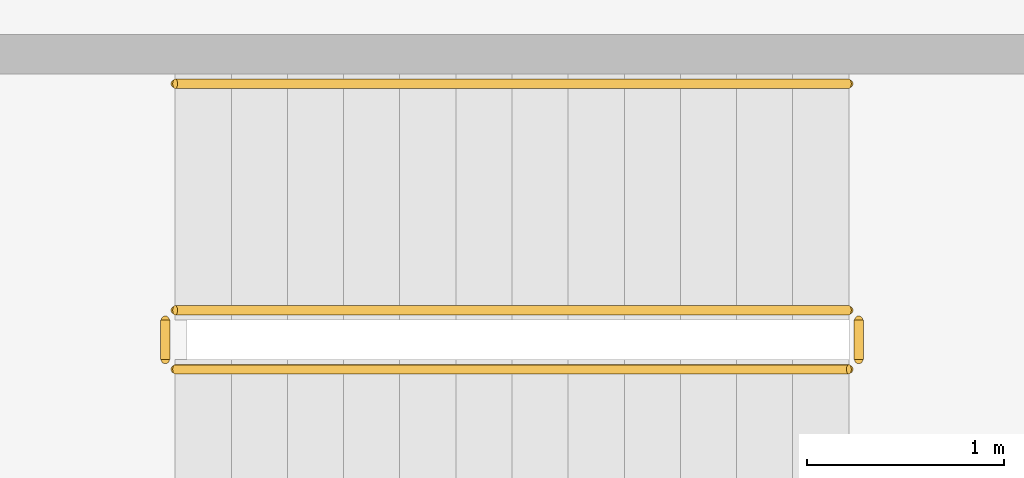
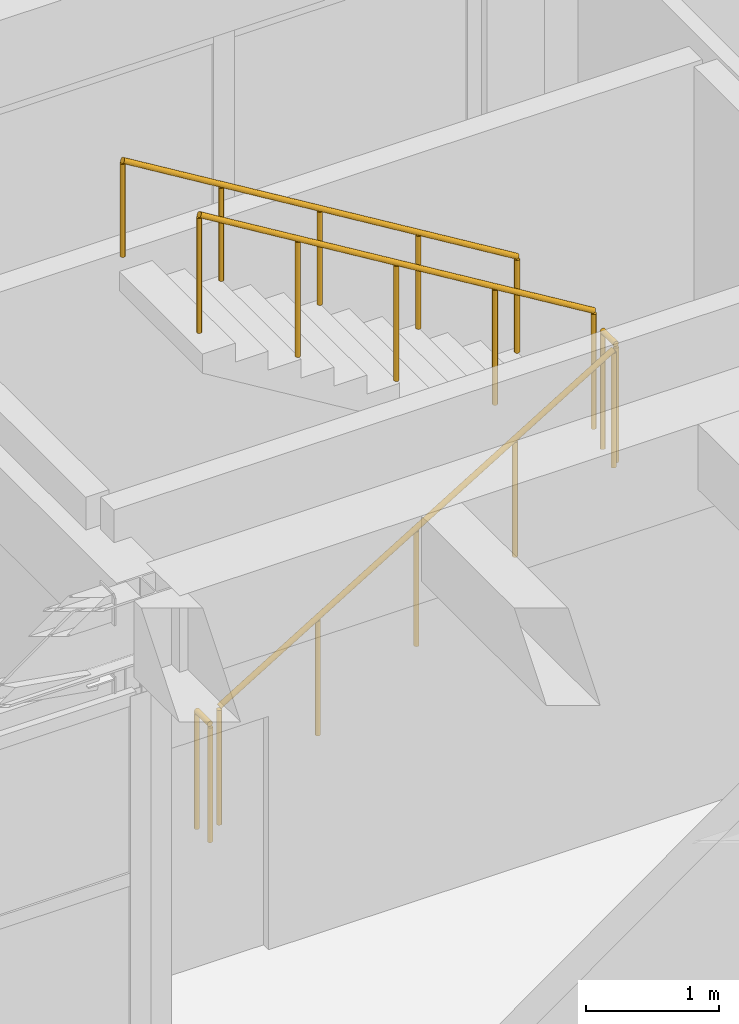
# One storey, part 148 of 153: 5 railings.
"""IFC4 building model written with IfcOpenShell, lengths in metres."""

from ifc_helpers import new_model, si_unit, direction, frame, origin, origin_2d, place, context, subcontext, project, spatial, circle, extrude, material, type_object, element, save


model = new_model("IFC4")

# Units and contexts
model_context = context("Model", 3, precision=1e-05, world=origin(), true_north=direction((0.0, 1.0)))
body_context = subcontext(model_context, "Body", "Model", "MODEL_VIEW")
ifc_project = project(units=[si_unit("LENGTHUNIT", "METRE"), si_unit("AREAUNIT", "SQUARE_METRE"), si_unit("VOLUMEUNIT", "CUBIC_METRE"), si_unit("PLANEANGLEUNIT", "RADIAN"), si_unit("MASSUNIT", "GRAM", prefix="KILO")], contexts=[model_context])

# Site, building, storey
site_placement = place(None, origin())
site = spatial("IfcSite", under=ifc_project, at=site_placement, CompositionType="ELEMENT")
building_placement = place(site_placement, origin())
building = spatial("IfcBuilding", under=site, at=building_placement, Name="Bramvelor Terrace Health Centre", CompositionType="ELEMENT")
storey_placement = place(building_placement, frame((0.0, 0.0, 4.800048828125)))
storey = spatial("IfcBuildingStorey", under=building, at=storey_placement, Name="L02", CompositionType="ELEMENT", Elevation=4.800048828125)

# Railings
ifc_material_1 = material(Name="Painted galvanized steel", Category="steel")
railing_type_1 = type_object("IfcRailingType", Name="RLG-GD-1100", PredefinedType="GUARDRAIL", material=ifc_material_1)
railing_1_placement = place(storey_placement, frame((102.570068359375, 59.60009765625, 0.173095703125)))
element("IfcRailing", 1, at=railing_1_placement, inside=storey, type_object=railing_type_1, Name="L02 ST-5 stair guard 1", PredefinedType="GUARDRAIL", context=body_context, shape_type="SweptSolid", body=[
    extrude(circle(Radius=0.02392578125, at=origin_2d()), frame((0.0, 0.0, 1.076171875), z_axis=(0.854729506542, 0.0, 0.519073665916), x_axis=(0.0, 1.0, 0.0)), (0.0, 0.0, 1.0), 4.001220703125),
    extrude(circle(Radius=0.02099609375, at=origin_2d()), origin(), (0.0, 0.0, 1.0), 1.052001953125),
    extrude(circle(Radius=0.02099609375, at=origin_2d()), frame((0.85498046875, 0.0, 0.519287109375)), (0.0, 0.0, 1.0), 1.052001953125),
    extrude(circle(Radius=0.02099609375, at=origin_2d()), frame((1.7099609375, 0.0, 1.03857421875)), (0.0, 0.0, 1.0), 1.052001953125),
    extrude(circle(Radius=0.02099609375, at=origin_2d()), frame((2.56494140625, 0.0, 1.5576171875)), (0.0, 0.0, 1.0), 1.052001953125),
    extrude(circle(Radius=0.02099609375, at=origin_2d()), frame((3.419921875, 0.0, 2.076904296875)), (0.0, 0.0, 1.0), 1.052001953125),
])
railing_2_placement = place(storey_placement, frame((106.0400390625, 59.64990234375, 2.25)))
element("IfcRailing", 2, at=railing_2_placement, inside=storey, type_object=railing_type_1, Name="L02 ST-5 stair guard 2", PredefinedType="GUARDRAIL", context=body_context, shape_type="SweptSolid", body=[
    extrude(circle(Radius=0.02392578125, at=origin_2d()), frame((0.0, 0.0, 1.076171875), z_axis=(0.0, 1.0, 0.0), x_axis=(-1.0, 0.0, 0.0)), (0.0, 0.0, 1.0), 0.2001953125),
    extrude(circle(Radius=0.02099609375, at=origin_2d()), origin(), (0.0, 0.0, 1.0), 1.052001953125),
    extrude(circle(Radius=0.02099609375, at=origin_2d()), frame((0.0, 0.2001953125, 0.0)), (0.0, 0.0, 1.0), 1.052001953125),
])
railing_3_placement = place(storey_placement, frame((105.989990234375, 59.89990234375, 2.423095703125)))
element("IfcRailing", 3, at=railing_3_placement, inside=storey, type_object=railing_type_1, Name="L02 ST-5 stair guard 3", PredefinedType="GUARDRAIL", context=body_context, shape_type="SweptSolid", body=[
    extrude(circle(Radius=0.02392578125, at=origin_2d()), frame((0.0, 0.0, 1.076171875), z_axis=(-0.854729506542, 0.0, 0.519073665916), x_axis=(0.0, -1.0, 0.0)), (0.0, 0.0, 1.0), 4.001220703125),
    extrude(circle(Radius=0.02099609375, at=origin_2d()), origin(), (0.0, 0.0, 1.0), 1.052001953125),
    extrude(circle(Radius=0.02099609375, at=origin_2d()), frame((-0.85498046875, 0.0, 0.519287109375)), (0.0, 0.0, 1.0), 1.052001953125),
    extrude(circle(Radius=0.02099609375, at=origin_2d()), frame((-1.7099609375, 0.0, 1.03857421875)), (0.0, 0.0, 1.0), 1.052001953125),
    extrude(circle(Radius=0.02099609375, at=origin_2d()), frame((-2.56494140625, 0.0, 1.5576171875)), (0.0, 0.0, 1.0), 1.052001953125),
    extrude(circle(Radius=0.02099609375, at=origin_2d()), frame((-3.419921875, 0.0, 2.076904296875)), (0.0, 0.0, 1.0), 1.052001953125),
])
railing_4_placement = place(storey_placement, frame((102.52001953125, 59.64990234375, 0.0)))
element("IfcRailing", 4, at=railing_4_placement, inside=storey, type_object=railing_type_1, Name="L02 ST-5 stair guard 4", PredefinedType="GUARDRAIL", context=body_context, shape_type="SweptSolid", body=[
    extrude(circle(Radius=0.02392578125, at=origin_2d()), frame((0.0, 0.0, 1.076171875), z_axis=(0.0, 1.0, 0.0), x_axis=(-1.0, 0.0, 0.0)), (0.0, 0.0, 1.0), 0.2001953125),
    extrude(circle(Radius=0.02099609375, at=origin_2d()), origin(), (0.0, 0.0, 1.0), 1.052001953125),
    extrude(circle(Radius=0.02099609375, at=origin_2d()), frame((0.0, 0.2001953125, 0.0)), (0.0, 0.0, 1.0), 1.052001953125),
])
ifc_material_2 = material(Name="Brushed stainless steel 316", Category="steel")
railing_type_2 = type_object("IfcRailingType", Name="RLG-HR-900", PredefinedType="HANDRAIL", material=ifc_material_2)
railing_5_placement = place(storey_placement, frame((105.989990234375, 61.050048828125, 2.423095703125)))
element("IfcRailing", 5, at=railing_5_placement, inside=storey, type_object=railing_type_2, Name="L02 ST-5 stair handrail 2", PredefinedType="HANDRAIL", context=body_context, shape_type="SweptSolid", body=[
    extrude(circle(Radius=0.02392578125, at=origin_2d()), frame((0.0, 0.0, 0.8759765625), z_axis=(-0.854729506542, 0.0, 0.519073665916), x_axis=(0.0, -1.0, 0.0)), (0.0, 0.0, 1.0), 4.001220703125),
    extrude(circle(Radius=0.02099609375, at=origin_2d()), origin(), (0.0, 0.0, 1.0), 0.851806640625),
    extrude(circle(Radius=0.02099609375, at=origin_2d()), frame((-0.85498046875, 0.0, 0.519287109375)), (0.0, 0.0, 1.0), 0.851806640625),
    extrude(circle(Radius=0.02099609375, at=origin_2d()), frame((-1.7099609375, 0.0, 1.03857421875)), (0.0, 0.0, 1.0), 0.851806640625),
    extrude(circle(Radius=0.02099609375, at=origin_2d()), frame((-2.56494140625, 0.0, 1.5576171875)), (0.0, 0.0, 1.0), 0.851806640625),
    extrude(circle(Radius=0.02099609375, at=origin_2d()), frame((-3.419921875, 0.0, 2.076904296875)), (0.0, 0.0, 1.0), 0.851806640625),
])

save(model, "model.ifc")
